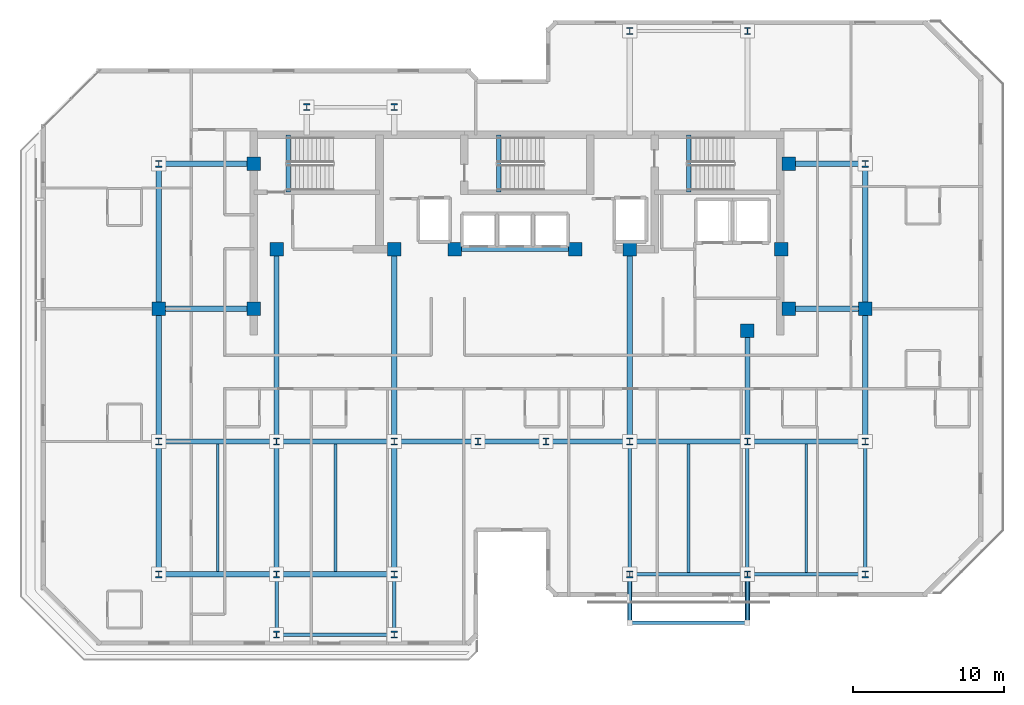
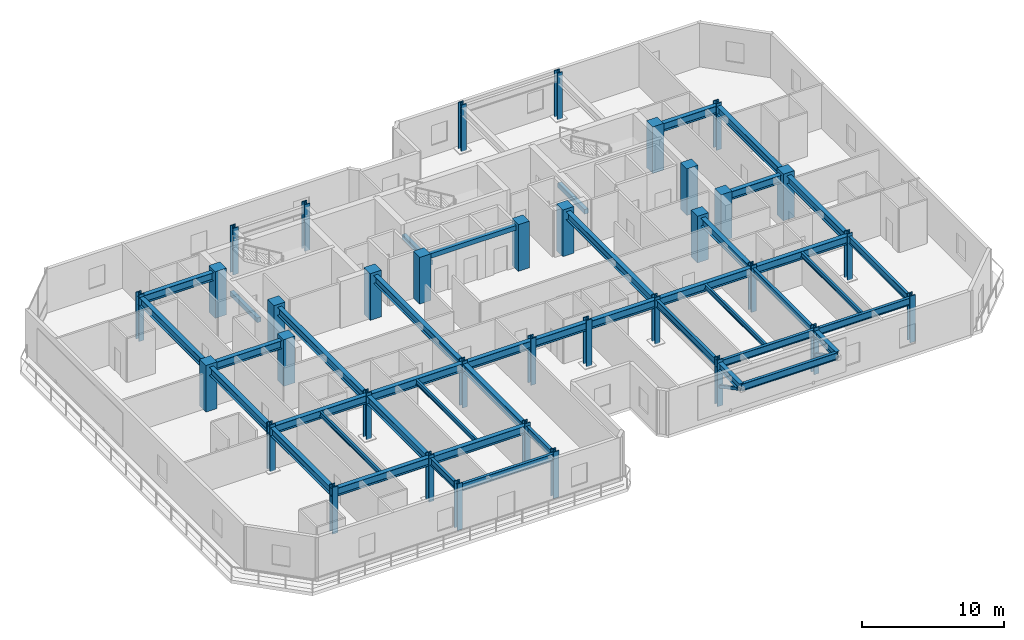
# One storey, part 1 of 13: 43 beams, 35 columns, 2 members.
"""IFC4 building model written with IfcOpenShell, lengths in metres."""

import ifcopenshell
import ifcopenshell.guid

model = None  # the IFC model being written
_history = None  # IfcOwnerHistory: only IFC2X3 demands one
_inside = {}  # id of a spatial element -> (the spatial element, [elements in it])
_under = {}  # id of a project, library or spatial element -> (it, [spatial elements below it])
_declared = {}  # id of a project -> (the project, [libraries it declares])
_typed = {}  # id of a type object -> (the type object, [elements of that type])
_made_of = {}  # id of a material, layer set ... -> (it, [elements and type objects made of it])


def new_model(schema):
    """Start an empty IFC model of exactly this schema.

    Asked for "IFC4X3", IfcOpenShell would pick the latest addendum, in which some entities
    have other attributes; the version numbers below select the first issue.
    IFC2X3 requires an IfcOwnerHistory on every rooted entity: one is made here for all.
    """
    global model, _history
    if schema == "IFC4X3":
        model = ifcopenshell.file(schema_version=(4, 3, 0, 0))
    else:
        model = ifcopenshell.file(schema=schema)
    _inside.clear()
    _under.clear()
    _declared.clear()
    _typed.clear()
    _made_of.clear()
    _history = None
    if model.schema == "IFC2X3":
        org = make("IfcOrganization", Name="unknown")
        user = make(
            "IfcPersonAndOrganization",
            ThePerson=make("IfcPerson", FamilyName="unknown"),
            TheOrganization=org,
        )
        app = make(
            "IfcApplication",
            ApplicationDeveloper=org,
            Version="unknown",
            ApplicationFullName="unknown",
            ApplicationIdentifier="unknown",
        )
        _history = make(
            "IfcOwnerHistory",
            OwningUser=user,
            OwningApplication=app,
            ChangeAction="ADDED",
            CreationDate=0,
        )
    return model


def make(cls, **values):
    """One entity of the class cls with the attributes given. An attribute that is None is left unset."""
    return model.create_entity(
        cls, **{name: value for name, value in values.items() if value is not None}
    )


def rooted(cls, **values):
    """An entity with a GlobalId (a new one), such as an element, a storey or a relation."""
    return make(cls, GlobalId=ifcopenshell.guid.new(), OwnerHistory=_history, **values)


def si_unit(unit_type, name, prefix=None):
    """IfcSIUnit, for example si_unit("LENGTHUNIT", "METRE", prefix="MILLI")."""
    return make("IfcSIUnit", UnitType=unit_type, Prefix=prefix, Name=name)


def assignment(units):
    """IfcUnitAssignment: the units of a project."""
    return None if units is None else make("IfcUnitAssignment", Units=units)


def point(xyz):
    """IfcCartesianPoint."""
    return None if xyz is None else make("IfcCartesianPoint", Coordinates=xyz)


def direction(xyz):
    """IfcDirection."""
    return None if xyz is None else make("IfcDirection", DirectionRatios=xyz)


def frame(location, z_axis=None, x_axis=None):
    """IfcAxis2Placement3D, a coordinate frame: its origin and axes. An axis left out is left unset."""
    return make(
        "IfcAxis2Placement3D",
        Location=point(location),
        Axis=direction(z_axis),
        RefDirection=direction(x_axis),
    )


def frame_2d(location, x_axis=None):
    """IfcAxis2Placement2D, a coordinate frame in the plane: its origin and x axis."""
    return make(
        "IfcAxis2Placement2D", Location=point(location), RefDirection=direction(x_axis)
    )


def origin():
    """The frame at (0, 0, 0) with its axes left unset."""
    return frame((0.0, 0.0, 0.0))


def origin_2d():
    """The frame at (0, 0) in the plane with its x axis left unset."""
    return frame_2d((0.0, 0.0))


def place(relative_to, where):
    """IfcLocalPlacement: puts the frame where relative to a parent placement (None: the world)."""
    return make(
        "IfcLocalPlacement", PlacementRelTo=relative_to, RelativePlacement=where
    )


def context(
    kind, dimensions, precision=None, world=None, true_north=None, identifier=None
):
    """IfcGeometricRepresentationContext, for example the 3D "Model" context."""
    return make(
        "IfcGeometricRepresentationContext",
        ContextIdentifier=identifier,
        ContextType=kind,
        CoordinateSpaceDimension=dimensions,
        Precision=precision,
        WorldCoordinateSystem=world,
        TrueNorth=true_north,
    )


def subcontext(parent, identifier, kind, view, scale=None):
    """IfcGeometricRepresentationSubContext, for example "Body" below "Model"."""
    return make(
        "IfcGeometricRepresentationSubContext",
        ContextIdentifier=identifier,
        ContextType=kind,
        ParentContext=parent,
        TargetScale=scale,
        TargetView=view,
    )


def project(units=None, contexts=None):
    """IfcProject with its units and contexts."""
    return rooted(
        "IfcProject",
        Name="project",
        RepresentationContexts=contexts,
        UnitsInContext=assignment(units),
    )


def spatial(cls, under=None, at=None, **own):
    """A site, building, storey or space (cls), placed at a placement, below another one or the project."""
    s = rooted(cls, ObjectPlacement=at, **own)
    if under is not None:
        _under.setdefault(under.id(), (under, []))[1].append(s)
    return s


def profile(cls, at=None, kind="AREA", **sizes):
    """A parametric profile (cls). Its sizes go by their IFC names, for example OverallWidth=200.0."""
    return make(cls, ProfileType=kind, Position=at, **sizes)


def rectangle(**sizes):
    """IfcRectangleProfileDef."""
    return profile("IfcRectangleProfileDef", **sizes)


def hollow_rectangle(**sizes):
    """IfcRectangleHollowProfileDef."""
    return profile("IfcRectangleHollowProfileDef", **sizes)


def i_section(**sizes):
    """IfcIShapeProfileDef."""
    return profile("IfcIShapeProfileDef", **sizes)


def extrude(swept, where, along, depth):
    """IfcExtrudedAreaSolid: the profile swept, set in the frame where, extruded along a direction by depth."""
    return make(
        "IfcExtrudedAreaSolid",
        SweptArea=swept,
        Position=where,
        ExtrudedDirection=direction(along),
        Depth=depth,
    )


def shape(context_of_items, identifier, shape_type, items):
    """IfcShapeRepresentation: the items that make up one representation, for example the "Body"."""
    return make(
        "IfcShapeRepresentation",
        ContextOfItems=context_of_items,
        RepresentationIdentifier=identifier,
        RepresentationType=shape_type,
        Items=items,
    )


def material(Name=None, Category=None):
    """IfcMaterial."""
    return make("IfcMaterial", Name=Name, Category=Category)


def material_profile(
    of_material, cross_section, Name=None, Category=None, Priority=None
):
    """IfcMaterialProfile: a cross section and its material."""
    return make(
        "IfcMaterialProfile",
        Name=Name,
        Material=of_material,
        Profile=cross_section,
        Priority=Priority,
        Category=Category,
    )


def profile_set(profiles, Name=None, composite=None):
    """IfcMaterialProfileSet."""
    return make(
        "IfcMaterialProfileSet",
        Name=Name,
        MaterialProfiles=profiles,
        CompositeProfile=composite,
    )


def made_of(thing, what):
    """Note that an element or type object is made of a material, layer set ...; save() writes the relation."""
    if what is not None:
        _made_of.setdefault(what.id(), (what, []))[1].append(thing)
    return thing


def type_object(cls, material=None, **own):
    """A type object (cls), such as IfcWallType, which elements share."""
    return made_of(rooted(cls, **own), material)


def element(
    cls,
    number,
    at=None,
    inside=None,
    cuts=None,
    type_object=None,
    material=None,
    context=None,
    identifier="Body",
    shape_type=None,
    held_by="IfcProductDefinitionShape",
    body=None,
    shapes=None,
    **own,
):
    """One element of the class cls, such as IfcWall. Its Tag is "e" and its number.

    at: its placement. inside: the storey or other place that contains it. cuts: it is an
    opening in that element (IfcRelVoidsElement). A single representation is given by context,
    identifier, shape_type and body (its items); several are given by shapes. held_by: the class
    of the entity that holds the representations. save() writes the other relations.
    """
    e = rooted(cls, Tag="e%d" % number, ObjectPlacement=at, **own)
    if body is not None:
        shapes = [shape(context, identifier, shape_type, body)]
    if shapes is not None:
        e.Representation = make(held_by, Representations=shapes)
    if inside is not None:
        _inside.setdefault(inside.id(), (inside, []))[1].append(e)
    if cuts is not None:
        rooted(
            "IfcRelVoidsElement", RelatingBuildingElement=cuts, RelatedOpeningElement=e
        )
    if type_object is not None:
        _typed.setdefault(type_object.id(), (type_object, []))[1].append(e)
    return made_of(e, material)


def aggregate(whole, parts):
    """IfcRelAggregates: a whole, such as a stair, and the parts it consists of."""
    return rooted("IfcRelAggregates", RelatingObject=whole, RelatedObjects=parts)


def save(model, path):
    """Write the relations noted so far, then the file.

    IfcRelAggregates (storeys below a building ...), IfcRelContainedInSpatialStructure (elements
    in a storey), IfcRelDefinesByType, IfcRelAssociatesMaterial and IfcRelDeclares: one each for
    every whole, place, type object, material and project.
    """
    for whole, parts in _under.values():
        aggregate(whole, parts)
    for where, things in _inside.values():
        rooted(
            "IfcRelContainedInSpatialStructure",
            RelatedElements=things,
            RelatingStructure=where,
        )
    for kind, things in _typed.values():
        rooted("IfcRelDefinesByType", RelatedObjects=things, RelatingType=kind)
    for what, things in _made_of.values():
        rooted("IfcRelAssociatesMaterial", RelatedObjects=things, RelatingMaterial=what)
    for by, libraries in _declared.values():
        rooted("IfcRelDeclares", RelatingContext=by, RelatedDefinitions=libraries)
    model.write(path)


model = new_model("IFC4")

# Units and contexts
model_context = context("Model", 3, precision=1e-05, world=origin(), true_north=direction((0.0, 1.0)))
body_context = subcontext(model_context, "Body", "Model", "MODEL_VIEW")
ifc_project = project(units=[si_unit("LENGTHUNIT", "METRE"), si_unit("AREAUNIT", "SQUARE_METRE"), si_unit("VOLUMEUNIT", "CUBIC_METRE"), si_unit("PLANEANGLEUNIT", "RADIAN"), si_unit("MASSUNIT", "GRAM", prefix="KILO")], contexts=[model_context])

# Site, building, storey
site_placement = place(None, origin())
site = spatial("IfcSite", under=ifc_project, at=site_placement, CompositionType="ELEMENT")
building_placement = place(site_placement, origin())
building = spatial("IfcBuilding", under=site, at=building_placement, Name="Kestravale Grand Hotel", CompositionType="ELEMENT")
storey_placement = place(building_placement, frame((0.0, 0.0, 245.39990234375)))
storey = spatial("IfcBuildingStorey", under=building, at=storey_placement, Name="L61", CompositionType="ELEMENT", Elevation=245.39990234375)

# Columns
ifc_material_1 = material(Name="Concrete f'c 50 MPa", Category="concrete")
ifc_material_profile_1 = material_profile(ifc_material_1, rectangle(XDim=0.89990234375, YDim=0.89990234375, at=origin_2d()))
ifc_profile_set_1 = profile_set([ifc_material_profile_1], Name="Concrete f'c 50 MPa")
column_type_1 = type_object("IfcColumnType", Name="C-Z4-900", PredefinedType="COLUMN", material=ifc_profile_set_1)
for number, where, z_axis, x_axis, name in (
    (1, (15.60009765625, 28.800048828125, 0.0), (0.0, 0.0, 1.0), (1.0, 0.0, 0.0), "L61 column 3-E"),
    (2, (62.39990234375, 28.800048828125, 0.0), (0.0, 0.0, 1.0), (1.0, 0.0, 0.0), "L61 column 10-E"),
    (3, (21.89990234375, 28.800048828125, 0.0), (0.0, 0.0, 1.0), (1.0, 0.0, 0.0), "L61 column CW-E"),
    (4, (21.89990234375, 38.39990234375, 0.0), (0.0, 0.0, 1.0), (1.0, 0.0, 0.0), "L61 column CW-F"),
    (5, (57.35009765625, 28.800048828125, 0.0), (0.0, 0.0, 1.0), (1.0, 0.0, 0.0), "L61 column CE-E"),
    (6, (57.35009765625, 38.39990234375, 0.0), (0.0, 0.0, 1.0), (1.0, 0.0, 0.0), "L61 column CE-F"),
    (7, (23.39990234375, 32.75, 0.0), (0.0, 0.0, 1.0), (1.0, 0.0, 0.0), "L61 column 4-CS"),
    (8, (31.199951171875, 32.75, 0.0), (0.0, 0.0, 1.0), (1.0, 0.0, 0.0), "L61 column 5-CS"),
    (9, (35.199951171875, 32.75, 0.0), (0.0, 0.0, 1.0), (1.0, 0.0, 0.0), "L61 column 6C-CS"),
    (10, (43.199951171875, 32.75, 0.0), (0.0, 0.0, 1.0), (1.0, 0.0, 0.0), "L61 column 7C-CS"),
    (11, (46.800048828125, 32.75, 0.0), (0.0, 0.0, 1.0), (1.0, 0.0, 0.0), "L61 column 8-CS"),
    (12, (54.60009765625, 27.35009765625, 0.0), (0.0, 0.0, 1.0), (1.0, 0.0, 0.0), "L61 column 9-CS"),
    (13, (56.85009765625, 32.75, 0.0), (0.0, 0.0, 1.0), (1.0, 0.0, 0.0), "L61 column 9C-CS"),
):
    element("IfcColumn", number, at=place(storey_placement, frame(where, z_axis=z_axis, x_axis=x_axis)), inside=storey, type_object=column_type_1, Name=name, PredefinedType="COLUMN", context=body_context, shape_type="SweptSolid", body=[
        extrude(rectangle(XDim=0.89990234375, YDim=0.89990234375, at=origin_2d()), origin(), (0.0, 0.0, 1.0), 4.0),
    ])
ifc_material_2 = material(Name="Steel ASTM A992 Grade 50", Category="steel")
ifc_material_profile_2 = material_profile(ifc_material_2, i_section(OverallWidth=0.422119140625, OverallDepth=0.465087890625, WebThickness=0.044921875, FlangeThickness=0.072509765625, FilletRadius=0.0166015625, at=origin_2d()))
ifc_profile_set_2 = profile_set([ifc_material_profile_2], Name="Steel ASTM A992 Grade 50")
column_type_2 = type_object("IfcColumnType", Name="C-Z4-W14X398", PredefinedType="COLUMN", material=ifc_profile_set_2)
for number, where, z_axis, x_axis, name in (
    (14, (15.60009765625, 11.199951171875, 0.0), (0.0, 0.0, 1.0), (1.0, 0.0, 0.0), "L61 column 3-C"),
    (15, (15.60009765625, 20.0, 0.0), (0.0, 0.0, 1.0), (1.0, 0.0, 0.0), "L61 column 3-D"),
    (16, (15.60009765625, 38.39990234375, 0.0), (0.0, 0.0, 1.0), (1.0, 0.0, 0.0), "L61 column 3-F"),
    (17, (23.39990234375, 11.199951171875, 0.0), (0.0, 0.0, 1.0), (1.0, 0.0, 0.0), "L61 column 4-C"),
    (18, (23.39990234375, 20.0, 0.0), (0.0, 0.0, 1.0), (1.0, 0.0, 0.0), "L61 column 4-D"),
    (19, (31.199951171875, 11.199951171875, 0.0), (0.0, 0.0, 1.0), (1.0, 0.0, 0.0), "L61 column 5-C"),
    (20, (31.199951171875, 20.0, 0.0), (0.0, 0.0, 1.0), (1.0, 0.0, 0.0), "L61 column 5-D"),
    (21, (36.75, 20.0, 0.0), (0.0, 0.0, 1.0), (1.0, 0.0, 0.0), "L61 column 6-D"),
    (22, (41.25, 20.0, 0.0), (0.0, 0.0, 1.0), (1.0, 0.0, 0.0), "L61 column 7-D"),
    (23, (46.800048828125, 11.199951171875, 0.0), (0.0, 0.0, 1.0), (1.0, 0.0, 0.0), "L61 column 8-C"),
    (24, (46.800048828125, 20.0, 0.0), (0.0, 0.0, 1.0), (1.0, 0.0, 0.0), "L61 column 8-D"),
    (25, (46.800048828125, 47.199951171875, 0.0), (0.0, 0.0, 1.0), (1.0, 0.0, 0.0), "L61 column 8-G"),
    (26, (54.60009765625, 11.199951171875, 0.0), (0.0, 0.0, 1.0), (1.0, 0.0, 0.0), "L61 column 9-C"),
    (27, (54.60009765625, 20.0, 0.0), (0.0, 0.0, 1.0), (1.0, 0.0, 0.0), "L61 column 9-D"),
    (28, (54.60009765625, 47.199951171875, 0.0), (0.0, 0.0, 1.0), (1.0, 0.0, 0.0), "L61 column 9-G"),
    (29, (62.39990234375, 11.199951171875, 0.0), (0.0, 0.0, 1.0), (1.0, 0.0, 0.0), "L61 column 10-C"),
    (30, (62.39990234375, 20.0, 0.0), (0.0, 0.0, 1.0), (1.0, 0.0, 0.0), "L61 column 10-D"),
    (31, (62.39990234375, 38.39990234375, 0.0), (0.0, 0.0, 1.0), (1.0, 0.0, 0.0), "L61 column 10-F"),
    (32, (23.39990234375, 7.199951171875, 0.0), (0.0, 0.0, 1.0), (1.0, 0.0, 0.0), "L61 column 4-BS"),
    (33, (31.199951171875, 7.199951171875, 0.0), (0.0, 0.0, 1.0), (1.0, 0.0, 0.0), "L61 column 5-BS"),
    (34, (25.39990234375, 42.14990234375, 0.0), (0.0, 0.0, 1.0), (1.0, 0.0, 0.0), "L61 column 4-FN"),
    (35, (31.199951171875, 42.14990234375, 0.0), (0.0, 0.0, 1.0), (1.0, 0.0, 0.0), "L61 column 5-FN"),
):
    element("IfcColumn", number, at=place(storey_placement, frame(where, z_axis=z_axis, x_axis=x_axis)), inside=storey, type_object=column_type_2, Name=name, PredefinedType="COLUMN", context=body_context, shape_type="SweptSolid", body=[
        extrude(i_section(OverallWidth=0.422119140625, OverallDepth=0.465087890625, WebThickness=0.044921875, FlangeThickness=0.072509765625, FilletRadius=0.0166015625, at=origin_2d()), origin(), (0.0, 0.0, 1.0), 4.0),
    ])

# Beams
ifc_material_3 = material(Name="Steel ASTM A992 Grade 50", Category="steel")
ifc_material_profile_3 = material_profile(ifc_material_3, i_section(OverallWidth=0.177978515625, OverallDepth=0.404052734375, WebThickness=0.007568359375, FlangeThickness=0.010986328125, FilletRadius=0.01416015625, at=origin_2d()))
ifc_profile_set_3 = profile_set([ifc_material_profile_3], Name="Steel ASTM A992 Grade 50")
beam_type_1 = type_object("IfcBeamType", Name="B-FLR-JST16", PredefinedType="JOIST", material=ifc_profile_set_3)
for number, where, z_axis, x_axis, name in (
    (36, (19.5, 11.3779296875, 3.55810546875), (0.0, 1.0, 0.0), (-1.0, 0.0, 0.0), "L61 floor joist 3-4/C-D #1"),
    (37, (27.300048828125, 11.3779296875, 3.55810546875), (0.0, 1.0, 0.0), (-1.0, 0.0, 0.0), "L61 floor joist 4-5/C-D #1"),
):
    element("IfcBeam", number, at=place(storey_placement, frame(where, z_axis=z_axis, x_axis=x_axis)), inside=storey, type_object=beam_type_1, Name=name, PredefinedType="JOIST", context=body_context, shape_type="SweptSolid", body=[
        extrude(i_section(OverallWidth=0.177978515625, OverallDepth=0.404052734375, WebThickness=0.007568359375, FlangeThickness=0.010986328125, FilletRadius=0.01416015625, at=origin_2d()), origin(), (0.0, 0.0, 1.0), 8.444091796875),
    ])
for number, where, z_axis, x_axis, name in (
    (38, (50.699951171875, 11.314453125, 3.55810546875), (0.0, 1.0, 0.0), (-1.0, 0.0, 0.0), "L61 floor joist 8-9/C-D #1"),
    (39, (58.5, 11.314453125, 3.55810546875), (0.0, 1.0, 0.0), (-1.0, 0.0, 0.0), "L61 floor joist 9-10/C-D #1"),
):
    element("IfcBeam", number, at=place(storey_placement, frame(where, z_axis=z_axis, x_axis=x_axis)), inside=storey, type_object=beam_type_1, Name=name, PredefinedType="JOIST", context=body_context, shape_type="SweptSolid", body=[
        extrude(i_section(OverallWidth=0.177978515625, OverallDepth=0.404052734375, WebThickness=0.007568359375, FlangeThickness=0.010986328125, FilletRadius=0.01416015625, at=origin_2d()), origin(), (0.0, 0.0, 1.0), 8.507568359375),
    ])
ifc_material_4 = material(Name="Concrete f'c 45 MPa", Category="concrete")
ifc_material_profile_4 = material_profile(ifc_material_4, rectangle(XDim=0.300048828125, YDim=0.39990234375, at=origin_2d()))
ifc_profile_set_4 = profile_set([ifc_material_profile_4], Name="Concrete f'c 45 MPa")
beam_type_2 = type_object("IfcBeamType", Name="B-FLR-LNT400", PredefinedType="LINTEL", material=ifc_profile_set_4)
beam_1_placement = place(storey_placement, frame((35.199951171875, 32.75, 3.56005859375), z_axis=(1.0, 0.0, 0.0), x_axis=(0.0, 1.0, 0.0)))
element("IfcBeam", 40, at=beam_1_placement, inside=storey, type_object=beam_type_2, Name="L61 core portal header lintel", PredefinedType="LINTEL", context=body_context, shape_type="SweptSolid", body=[
    extrude(rectangle(XDim=0.300048828125, YDim=0.39990234375, at=origin_2d()), origin(), (0.0, 0.0, 1.0), 8.0),
])
for number, where, z_axis, x_axis, name in (
    (41, (24.159912109375, 36.52001953125, -0.199951171875), (0.0, 1.0, 0.0), (-1.0, 0.0, 0.0), "L61 ST1 flight bottom header beam"),
    (42, (38.110107421875, 36.52001953125, -0.199951171875), (0.0, 1.0, 0.0), (-1.0, 0.0, 0.0), "L61 ST2 flight bottom header beam"),
    (43, (50.7099609375, 36.52001953125, -0.199951171875), (0.0, 1.0, 0.0), (-1.0, 0.0, 0.0), "L61 ST3 flight bottom header beam"),
):
    element("IfcBeam", number, at=place(storey_placement, frame(where, z_axis=z_axis, x_axis=x_axis)), inside=storey, type_object=beam_type_2, Name=name, PredefinedType="LINTEL", context=body_context, shape_type="SweptSolid", body=[
        extrude(rectangle(XDim=0.300048828125, YDim=0.39990234375, at=origin_2d()), origin(), (0.0, 0.0, 1.0), 3.800048828125),
    ])
ifc_material_5 = material(Name="Steel ASTM A992 Grade 50", Category="steel")
ifc_material_profile_5 = material_profile(ifc_material_5, i_section(OverallWidth=0.324951171875, OverallDepth=0.612060546875, WebThickness=0.0126953125, FlangeThickness=0.01904296875, FilletRadius=0.018798828125, at=origin_2d()))
ifc_profile_set_5 = profile_set([ifc_material_profile_5], Name="Steel ASTM A992 Grade 50")
beam_type_3 = type_object("IfcBeamType", Name="B-FLR-W24A", PredefinedType="SPANDREL", material=ifc_profile_set_5)
for number, where, z_axis, x_axis, name in (
    (44, (46.800048828125, 11.199951171875, 3.424072265625), (0.0, -1.0, 0.0), (1.0, 0.0, 0.0), "L62 terrace cantilever beam 1"),
    (45, (54.60009765625, 11.199951171875, 3.424072265625), (0.0, -1.0, 0.0), (1.0, 0.0, 0.0), "L62 terrace cantilever beam 2"),
):
    element("IfcBeam", number, at=place(storey_placement, frame(where, z_axis=z_axis, x_axis=x_axis)), inside=storey, type_object=beam_type_3, Name=name, PredefinedType="SPANDREL", context=body_context, shape_type="SweptSolid", body=[
        extrude(i_section(OverallWidth=0.324951171875, OverallDepth=0.612060546875, WebThickness=0.0126953125, FlangeThickness=0.01904296875, FilletRadius=0.018798828125, at=origin_2d()), origin(), (0.0, 0.0, 1.0), 3.199951171875),
    ])
ifc_material_6 = material(Name="Steel ASTM A992 Grade 50", Category="steel")
ifc_material_profile_6 = material_profile(ifc_material_6, i_section(OverallWidth=0.22900390625, OverallDepth=0.612060546875, WebThickness=0.011962890625, FlangeThickness=0.01953125, FilletRadius=0.019287109375, at=origin_2d()))
ifc_profile_set_6 = profile_set([ifc_material_profile_6], Name="Steel ASTM A992 Grade 50")
beam_type_4 = type_object("IfcBeamType", Name="B-FLR-W24B", PredefinedType="SPANDREL", material=ifc_profile_set_6)
beam_2_placement = place(storey_placement, frame((46.800048828125, 11.199951171875, 3.4541015625), z_axis=(1.0, 0.0, 0.0), x_axis=(0.0, 1.0, 0.0)))
element("IfcBeam", 46, at=beam_2_placement, inside=storey, type_object=beam_type_4, Name="L61 spandrel C:8-9", PredefinedType="SPANDREL", context=body_context, shape_type="SweptSolid", body=[
    extrude(i_section(OverallWidth=0.22900390625, OverallDepth=0.612060546875, WebThickness=0.011962890625, FlangeThickness=0.01953125, FilletRadius=0.019287109375, at=origin_2d()), origin(), (0.0, 0.0, 1.0), 7.800048828125),
])
beam_3_placement = place(storey_placement, frame((54.60009765625, 11.199951171875, 3.4541015625), z_axis=(1.0, 0.0, 0.0), x_axis=(0.0, 1.0, 0.0)))
element("IfcBeam", 47, at=beam_3_placement, inside=storey, type_object=beam_type_4, Name="L61 spandrel C:9-10", PredefinedType="SPANDREL", context=body_context, shape_type="SweptSolid", body=[
    extrude(i_section(OverallWidth=0.22900390625, OverallDepth=0.612060546875, WebThickness=0.011962890625, FlangeThickness=0.01953125, FilletRadius=0.019287109375, at=origin_2d()), origin(), (0.0, 0.0, 1.0), 7.7998046875),
])
beam_4_placement = place(storey_placement, frame((23.39990234375, 7.199951171875, 3.4541015625), z_axis=(1.0, 0.0, 0.0), x_axis=(0.0, 1.0, 0.0)))
element("IfcBeam", 48, at=beam_4_placement, inside=storey, type_object=beam_type_4, Name="L61 perimeter tie spandrel BS:4-5", PredefinedType="SPANDREL", context=body_context, shape_type="SweptSolid", body=[
    extrude(i_section(OverallWidth=0.22900390625, OverallDepth=0.612060546875, WebThickness=0.011962890625, FlangeThickness=0.01953125, FilletRadius=0.019287109375, at=origin_2d()), origin(), (0.0, 0.0, 1.0), 7.800048828125),
])
for number, where, z_axis, x_axis, name in (
    (49, (23.39990234375, 7.199951171875, 3.4541015625), (0.0, 1.0, 0.0), (-1.0, 0.0, 0.0), "L61 spandrel 4:BS-C"),
    (50, (31.199951171875, 7.199951171875, 3.4541015625), (0.0, 1.0, 0.0), (-1.0, 0.0, 0.0), "L61 spandrel 5:BS-C"),
):
    element("IfcBeam", number, at=place(storey_placement, frame(where, z_axis=z_axis, x_axis=x_axis)), inside=storey, type_object=beam_type_4, Name=name, PredefinedType="SPANDREL", context=body_context, shape_type="SweptSolid", body=[
        extrude(i_section(OverallWidth=0.22900390625, OverallDepth=0.612060546875, WebThickness=0.011962890625, FlangeThickness=0.01953125, FilletRadius=0.019287109375, at=origin_2d()), origin(), (0.0, 0.0, 1.0), 4.0),
    ])
for number, where, z_axis, x_axis, name in (
    (51, (46.800048828125, 11.199951171875, 3.4541015625), (0.0, 1.0, 0.0), (-1.0, 0.0, 0.0), "L61 spandrel 8:C-D"),
    (52, (54.60009765625, 11.199951171875, 3.4541015625), (0.0, 1.0, 0.0), (-1.0, 0.0, 0.0), "L61 spandrel 9:C-D"),
    (53, (62.39990234375, 11.199951171875, 3.4541015625), (0.0, 1.0, 0.0), (-1.0, 0.0, 0.0), "L61 spandrel 10:C-D"),
):
    element("IfcBeam", number, at=place(storey_placement, frame(where, z_axis=z_axis, x_axis=x_axis)), inside=storey, type_object=beam_type_4, Name=name, PredefinedType="SPANDREL", context=body_context, shape_type="SweptSolid", body=[
        extrude(i_section(OverallWidth=0.22900390625, OverallDepth=0.612060546875, WebThickness=0.011962890625, FlangeThickness=0.01953125, FilletRadius=0.019287109375, at=origin_2d()), origin(), (0.0, 0.0, 1.0), 8.800048828125),
    ])
beam_5_placement = place(storey_placement, frame((46.800048828125, 8.0, 3.424072265625), z_axis=(1.0, 0.0, 0.0), x_axis=(0.0, 1.0, 0.0)))
element("IfcBeam", 54, at=beam_5_placement, inside=storey, type_object=beam_type_4, Name="L62 terrace edge spandrel", PredefinedType="SPANDREL", context=body_context, shape_type="SweptSolid", body=[
    extrude(i_section(OverallWidth=0.22900390625, OverallDepth=0.612060546875, WebThickness=0.011962890625, FlangeThickness=0.01953125, FilletRadius=0.019287109375, at=origin_2d()), origin(), (0.0, 0.0, 1.0), 7.800048828125),
])
ifc_material_7 = material(Name="Steel ASTM A992 Grade 50", Category="steel")
ifc_material_profile_7 = material_profile(ifc_material_7, i_section(OverallWidth=0.35595703125, OverallDepth=0.696044921875, WebThickness=0.015380859375, FlangeThickness=0.02490234375, FilletRadius=0.021240234375, at=origin_2d()))
ifc_profile_set_7 = profile_set([ifc_material_profile_7], Name="Steel ASTM A992 Grade 50")
beam_type_5 = type_object("IfcBeamType", Name="B-GRD-W27", PredefinedType="BEAM", material=ifc_profile_set_7)
beam_6_placement = place(storey_placement, frame((15.60009765625, 11.199951171875, 3.412109375), z_axis=(1.0, 0.0, 0.0), x_axis=(0.0, 1.0, 0.0)))
element("IfcBeam", 55, at=beam_6_placement, inside=storey, type_object=beam_type_5, Name="L61 girder C:3-4", PredefinedType="BEAM", context=body_context, shape_type="SweptSolid", body=[
    extrude(i_section(OverallWidth=0.35595703125, OverallDepth=0.696044921875, WebThickness=0.015380859375, FlangeThickness=0.02490234375, FilletRadius=0.021240234375, at=origin_2d()), origin(), (0.0, 0.0, 1.0), 7.7998046875),
])
beam_7_placement = place(storey_placement, frame((23.39990234375, 11.199951171875, 3.412109375), z_axis=(1.0, 0.0, 0.0), x_axis=(0.0, 1.0, 0.0)))
element("IfcBeam", 56, at=beam_7_placement, inside=storey, type_object=beam_type_5, Name="L61 girder C:4-5", PredefinedType="BEAM", context=body_context, shape_type="SweptSolid", body=[
    extrude(i_section(OverallWidth=0.35595703125, OverallDepth=0.696044921875, WebThickness=0.015380859375, FlangeThickness=0.02490234375, FilletRadius=0.021240234375, at=origin_2d()), origin(), (0.0, 0.0, 1.0), 7.800048828125),
])
beam_8_placement = place(storey_placement, frame((15.60009765625, 20.0, 3.412109375), z_axis=(1.0, 0.0, 0.0), x_axis=(0.0, 1.0, 0.0)))
element("IfcBeam", 57, at=beam_8_placement, inside=storey, type_object=beam_type_5, Name="L61 girder D:3-4", PredefinedType="BEAM", context=body_context, shape_type="SweptSolid", body=[
    extrude(i_section(OverallWidth=0.35595703125, OverallDepth=0.696044921875, WebThickness=0.015380859375, FlangeThickness=0.02490234375, FilletRadius=0.021240234375, at=origin_2d()), origin(), (0.0, 0.0, 1.0), 7.7998046875),
])
beam_9_placement = place(storey_placement, frame((23.39990234375, 20.0, 3.412109375), z_axis=(1.0, 0.0, 0.0), x_axis=(0.0, 1.0, 0.0)))
element("IfcBeam", 58, at=beam_9_placement, inside=storey, type_object=beam_type_5, Name="L61 girder D:4-5", PredefinedType="BEAM", context=body_context, shape_type="SweptSolid", body=[
    extrude(i_section(OverallWidth=0.35595703125, OverallDepth=0.696044921875, WebThickness=0.015380859375, FlangeThickness=0.02490234375, FilletRadius=0.021240234375, at=origin_2d()), origin(), (0.0, 0.0, 1.0), 7.800048828125),
])
beam_10_placement = place(storey_placement, frame((31.199951171875, 20.0, 3.412109375), z_axis=(1.0, 0.0, 0.0), x_axis=(0.0, 1.0, 0.0)))
element("IfcBeam", 59, at=beam_10_placement, inside=storey, type_object=beam_type_5, Name="L61 girder D:5-6", PredefinedType="BEAM", context=body_context, shape_type="SweptSolid", body=[
    extrude(i_section(OverallWidth=0.35595703125, OverallDepth=0.696044921875, WebThickness=0.015380859375, FlangeThickness=0.02490234375, FilletRadius=0.021240234375, at=origin_2d()), origin(), (0.0, 0.0, 1.0), 5.550048828125),
])
beam_11_placement = place(storey_placement, frame((36.75, 20.0, 3.412109375), z_axis=(1.0, 0.0, 0.0), x_axis=(0.0, 1.0, 0.0)))
element("IfcBeam", 60, at=beam_11_placement, inside=storey, type_object=beam_type_5, Name="L61 girder D:6-7", PredefinedType="BEAM", context=body_context, shape_type="SweptSolid", body=[
    extrude(i_section(OverallWidth=0.35595703125, OverallDepth=0.696044921875, WebThickness=0.015380859375, FlangeThickness=0.02490234375, FilletRadius=0.021240234375, at=origin_2d()), origin(), (0.0, 0.0, 1.0), 4.5),
])
beam_12_placement = place(storey_placement, frame((41.25, 20.0, 3.412109375), z_axis=(1.0, 0.0, 0.0), x_axis=(0.0, 1.0, 0.0)))
element("IfcBeam", 61, at=beam_12_placement, inside=storey, type_object=beam_type_5, Name="L61 girder D:7-8", PredefinedType="BEAM", context=body_context, shape_type="SweptSolid", body=[
    extrude(i_section(OverallWidth=0.35595703125, OverallDepth=0.696044921875, WebThickness=0.015380859375, FlangeThickness=0.02490234375, FilletRadius=0.021240234375, at=origin_2d()), origin(), (0.0, 0.0, 1.0), 5.550048828125),
])
beam_13_placement = place(storey_placement, frame((46.800048828125, 20.0, 3.412109375), z_axis=(1.0, 0.0, 0.0), x_axis=(0.0, 1.0, 0.0)))
element("IfcBeam", 62, at=beam_13_placement, inside=storey, type_object=beam_type_5, Name="L61 girder D:8-9", PredefinedType="BEAM", context=body_context, shape_type="SweptSolid", body=[
    extrude(i_section(OverallWidth=0.35595703125, OverallDepth=0.696044921875, WebThickness=0.015380859375, FlangeThickness=0.02490234375, FilletRadius=0.021240234375, at=origin_2d()), origin(), (0.0, 0.0, 1.0), 7.800048828125),
])
beam_14_placement = place(storey_placement, frame((54.60009765625, 20.0, 3.412109375), z_axis=(1.0, 0.0, 0.0), x_axis=(0.0, 1.0, 0.0)))
element("IfcBeam", 63, at=beam_14_placement, inside=storey, type_object=beam_type_5, Name="L61 girder D:9-10", PredefinedType="BEAM", context=body_context, shape_type="SweptSolid", body=[
    extrude(i_section(OverallWidth=0.35595703125, OverallDepth=0.696044921875, WebThickness=0.015380859375, FlangeThickness=0.02490234375, FilletRadius=0.021240234375, at=origin_2d()), origin(), (0.0, 0.0, 1.0), 7.7998046875),
])
beam_15_placement = place(storey_placement, frame((15.60009765625, 28.800048828125, 3.412109375), z_axis=(1.0, 0.0, 0.0), x_axis=(0.0, 1.0, 0.0)))
element("IfcBeam", 64, at=beam_15_placement, inside=storey, type_object=beam_type_5, Name="L61 girder E:3-CW", PredefinedType="BEAM", context=body_context, shape_type="SweptSolid", body=[
    extrude(i_section(OverallWidth=0.35595703125, OverallDepth=0.696044921875, WebThickness=0.015380859375, FlangeThickness=0.02490234375, FilletRadius=0.021240234375, at=origin_2d()), origin(), (0.0, 0.0, 1.0), 6.2998046875),
])
beam_16_placement = place(storey_placement, frame((57.35009765625, 28.800048828125, 3.412109375), z_axis=(1.0, 0.0, 0.0), x_axis=(0.0, 1.0, 0.0)))
element("IfcBeam", 65, at=beam_16_placement, inside=storey, type_object=beam_type_5, Name="L61 girder E:CE-10", PredefinedType="BEAM", context=body_context, shape_type="SweptSolid", body=[
    extrude(i_section(OverallWidth=0.35595703125, OverallDepth=0.696044921875, WebThickness=0.015380859375, FlangeThickness=0.02490234375, FilletRadius=0.021240234375, at=origin_2d()), origin(), (0.0, 0.0, 1.0), 5.0498046875),
])
beam_17_placement = place(storey_placement, frame((15.60009765625, 38.39990234375, 3.412109375), z_axis=(1.0, 0.0, 0.0), x_axis=(0.0, 1.0, 0.0)))
element("IfcBeam", 66, at=beam_17_placement, inside=storey, type_object=beam_type_5, Name="L61 girder F:3-CW", PredefinedType="BEAM", context=body_context, shape_type="SweptSolid", body=[
    extrude(i_section(OverallWidth=0.35595703125, OverallDepth=0.696044921875, WebThickness=0.015380859375, FlangeThickness=0.02490234375, FilletRadius=0.021240234375, at=origin_2d()), origin(), (0.0, 0.0, 1.0), 6.2998046875),
])
beam_18_placement = place(storey_placement, frame((57.35009765625, 38.39990234375, 3.412109375), z_axis=(1.0, 0.0, 0.0), x_axis=(0.0, 1.0, 0.0)))
element("IfcBeam", 67, at=beam_18_placement, inside=storey, type_object=beam_type_5, Name="L61 girder F:CE-10", PredefinedType="BEAM", context=body_context, shape_type="SweptSolid", body=[
    extrude(i_section(OverallWidth=0.35595703125, OverallDepth=0.696044921875, WebThickness=0.015380859375, FlangeThickness=0.02490234375, FilletRadius=0.021240234375, at=origin_2d()), origin(), (0.0, 0.0, 1.0), 5.0498046875),
])
for number, where, z_axis, x_axis, name in (
    (68, (15.60009765625, 11.199951171875, 3.412109375), (0.0, 1.0, 0.0), (-1.0, 0.0, 0.0), "L61 girder 3:C-D"),
    (69, (15.60009765625, 20.0, 3.412109375), (0.0, 1.0, 0.0), (-1.0, 0.0, 0.0), "L61 girder 3:D-E"),
):
    element("IfcBeam", number, at=place(storey_placement, frame(where, z_axis=z_axis, x_axis=x_axis)), inside=storey, type_object=beam_type_5, Name=name, PredefinedType="BEAM", context=body_context, shape_type="SweptSolid", body=[
        extrude(i_section(OverallWidth=0.35595703125, OverallDepth=0.696044921875, WebThickness=0.015380859375, FlangeThickness=0.02490234375, FilletRadius=0.021240234375, at=origin_2d()), origin(), (0.0, 0.0, 1.0), 8.800048828125),
    ])
beam_19_placement = place(storey_placement, frame((15.60009765625, 28.800048828125, 3.412109375), z_axis=(0.0, 1.0, 0.0), x_axis=(-1.0, 0.0, 0.0)))
element("IfcBeam", 70, at=beam_19_placement, inside=storey, type_object=beam_type_5, Name="L61 girder 3:E-F", PredefinedType="BEAM", context=body_context, shape_type="SweptSolid", body=[
    extrude(i_section(OverallWidth=0.35595703125, OverallDepth=0.696044921875, WebThickness=0.015380859375, FlangeThickness=0.02490234375, FilletRadius=0.021240234375, at=origin_2d()), origin(), (0.0, 0.0, 1.0), 9.599853515625),
])
beam_20_placement = place(storey_placement, frame((23.39990234375, 11.199951171875, 3.412109375), z_axis=(0.0, 1.0, 0.0), x_axis=(-1.0, 0.0, 0.0)))
element("IfcBeam", 71, at=beam_20_placement, inside=storey, type_object=beam_type_5, Name="L61 girder 4:C-D", PredefinedType="BEAM", context=body_context, shape_type="SweptSolid", body=[
    extrude(i_section(OverallWidth=0.35595703125, OverallDepth=0.696044921875, WebThickness=0.015380859375, FlangeThickness=0.02490234375, FilletRadius=0.021240234375, at=origin_2d()), origin(), (0.0, 0.0, 1.0), 8.800048828125),
])
beam_21_placement = place(storey_placement, frame((23.39990234375, 20.0, 3.412109375), z_axis=(0.0, 1.0, 0.0), x_axis=(-1.0, 0.0, 0.0)))
element("IfcBeam", 72, at=beam_21_placement, inside=storey, type_object=beam_type_5, Name="L61 girder 4:D-CS", PredefinedType="BEAM", context=body_context, shape_type="SweptSolid", body=[
    extrude(i_section(OverallWidth=0.35595703125, OverallDepth=0.696044921875, WebThickness=0.015380859375, FlangeThickness=0.02490234375, FilletRadius=0.021240234375, at=origin_2d()), origin(), (0.0, 0.0, 1.0), 12.75),
])
beam_22_placement = place(storey_placement, frame((31.199951171875, 11.199951171875, 3.412109375), z_axis=(0.0, 1.0, 0.0), x_axis=(-1.0, 0.0, 0.0)))
element("IfcBeam", 73, at=beam_22_placement, inside=storey, type_object=beam_type_5, Name="L61 girder 5:C-D", PredefinedType="BEAM", context=body_context, shape_type="SweptSolid", body=[
    extrude(i_section(OverallWidth=0.35595703125, OverallDepth=0.696044921875, WebThickness=0.015380859375, FlangeThickness=0.02490234375, FilletRadius=0.021240234375, at=origin_2d()), origin(), (0.0, 0.0, 1.0), 8.800048828125),
])
for number, where, z_axis, x_axis, name in (
    (74, (31.199951171875, 20.0, 3.412109375), (0.0, 1.0, 0.0), (-1.0, 0.0, 0.0), "L61 girder 5:D-CS"),
    (75, (46.800048828125, 20.0, 3.412109375), (0.0, 1.0, 0.0), (-1.0, 0.0, 0.0), "L61 girder 8:D-CS"),
):
    element("IfcBeam", number, at=place(storey_placement, frame(where, z_axis=z_axis, x_axis=x_axis)), inside=storey, type_object=beam_type_5, Name=name, PredefinedType="BEAM", context=body_context, shape_type="SweptSolid", body=[
        extrude(i_section(OverallWidth=0.35595703125, OverallDepth=0.696044921875, WebThickness=0.015380859375, FlangeThickness=0.02490234375, FilletRadius=0.021240234375, at=origin_2d()), origin(), (0.0, 0.0, 1.0), 12.75),
    ])
beam_23_placement = place(storey_placement, frame((54.60009765625, 20.0, 3.412109375), z_axis=(0.0, 1.0, 0.0), x_axis=(-1.0, 0.0, 0.0)))
element("IfcBeam", 76, at=beam_23_placement, inside=storey, type_object=beam_type_5, Name="L61 girder 9:D-CS", PredefinedType="BEAM", context=body_context, shape_type="SweptSolid", body=[
    extrude(i_section(OverallWidth=0.35595703125, OverallDepth=0.696044921875, WebThickness=0.015380859375, FlangeThickness=0.02490234375, FilletRadius=0.021240234375, at=origin_2d()), origin(), (0.0, 0.0, 1.0), 7.35009765625),
])
beam_24_placement = place(storey_placement, frame((62.39990234375, 20.0, 3.412109375), z_axis=(0.0, 1.0, 0.0), x_axis=(-1.0, 0.0, 0.0)))
element("IfcBeam", 77, at=beam_24_placement, inside=storey, type_object=beam_type_5, Name="L61 girder 10:D-E", PredefinedType="BEAM", context=body_context, shape_type="SweptSolid", body=[
    extrude(i_section(OverallWidth=0.35595703125, OverallDepth=0.696044921875, WebThickness=0.015380859375, FlangeThickness=0.02490234375, FilletRadius=0.021240234375, at=origin_2d()), origin(), (0.0, 0.0, 1.0), 8.800048828125),
])
beam_25_placement = place(storey_placement, frame((62.39990234375, 28.800048828125, 3.412109375), z_axis=(0.0, 1.0, 0.0), x_axis=(-1.0, 0.0, 0.0)))
element("IfcBeam", 78, at=beam_25_placement, inside=storey, type_object=beam_type_5, Name="L61 girder 10:E-F", PredefinedType="BEAM", context=body_context, shape_type="SweptSolid", body=[
    extrude(i_section(OverallWidth=0.35595703125, OverallDepth=0.696044921875, WebThickness=0.015380859375, FlangeThickness=0.02490234375, FilletRadius=0.021240234375, at=origin_2d()), origin(), (0.0, 0.0, 1.0), 9.599853515625),
])

# Members
ifc_material_8 = material(Name="Steel ASTM A500 Grade C", Category="steel")
ifc_material_profile_8 = material_profile(ifc_material_8, hollow_rectangle(XDim=0.25, YDim=0.25, WallThickness=0.011962890625, InnerFilletRadius=0.011962890625, OuterFilletRadius=0.02392578125, at=origin_2d()))
ifc_profile_set_8 = profile_set([ifc_material_profile_8], Name="Steel ASTM A500 Grade C")
member_type = type_object("IfcMemberType", Name="M-BLT-STR250", PredefinedType="STRUT", material=ifc_profile_set_8)
for number, where, z_axis, x_axis, name in (
    (79, (46.800048828125, 11.199951171875, 1.57421875), (0.0, -0.883118336548, 0.46915029964), (1.0, 0.0, 0.0), "L62 terrace knee-brace strut 1"),
    (80, (54.60009765625, 11.199951171875, 1.57421875), (0.0, -0.883118336548, 0.46915029964), (1.0, 0.0, 0.0), "L62 terrace knee-brace strut 2"),
):
    element("IfcMember", number, at=place(storey_placement, frame(where, z_axis=z_axis, x_axis=x_axis)), inside=storey, type_object=member_type, Name=name, PredefinedType="STRUT", context=body_context, shape_type="SweptSolid", body=[
        extrude(hollow_rectangle(XDim=0.25, YDim=0.25, WallThickness=0.011962890625, InnerFilletRadius=0.011962890625, OuterFilletRadius=0.02392578125, at=origin_2d()), origin(), (0.0, 0.0, 1.0), 3.62353515625),
    ])

save(model, "model.ifc")
